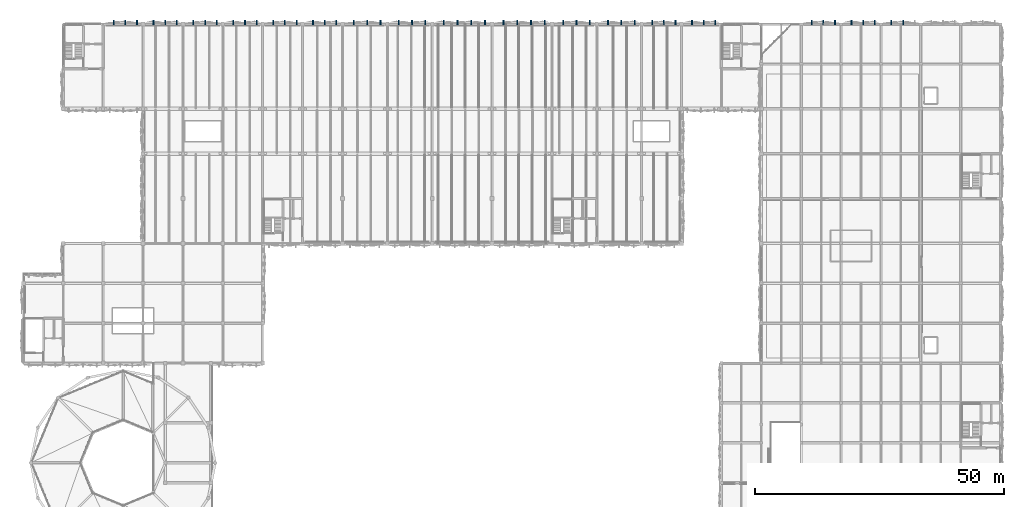
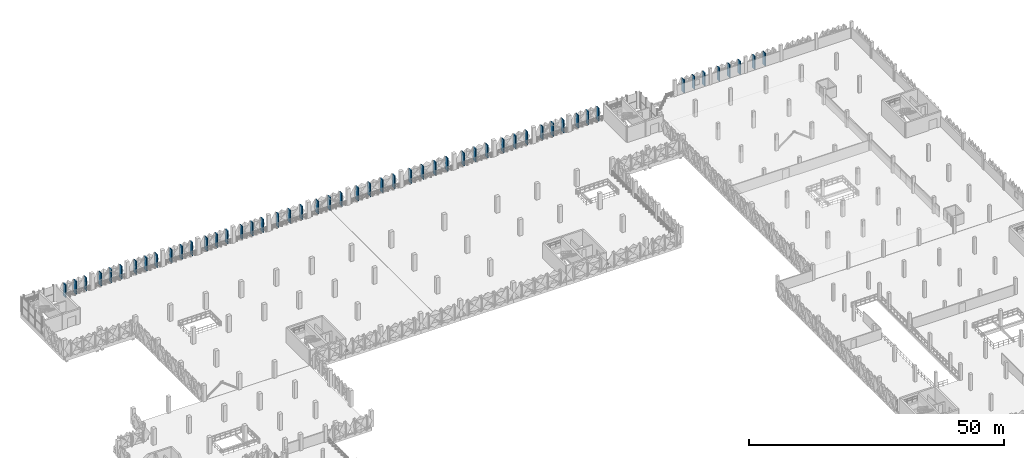
# One storey, part 49 of 83: 52 discrete accessories.
"""IFC4 building model written with IfcOpenShell, lengths in metres."""

from ifc_helpers import new_model, si_unit, derived_unit, direction, frame, origin, origin_2d, place, context, subcontext, project, spatial, rectangle, extrude, material, type_object, element, save


model = new_model("IFC4")

# Units and contexts
model_context = context("Model", 3, precision=1e-05, world=origin(), true_north=direction((0.0, 1.0)))
body_context = subcontext(model_context, "Body", "Model", "MODEL_VIEW")
ifc_project = project(units=[si_unit("LENGTHUNIT", "METRE"), si_unit("AREAUNIT", "SQUARE_METRE"), si_unit("VOLUMEUNIT", "CUBIC_METRE"), si_unit("PLANEANGLEUNIT", "RADIAN"), si_unit("MASSUNIT", "GRAM", prefix="KILO"), si_unit("THERMODYNAMICTEMPERATUREUNIT", "KELVIN"), derived_unit("THERMALTRANSMITTANCEUNIT", [(si_unit("POWERUNIT", "WATT"), 1), (si_unit("AREAUNIT", "SQUARE_METRE"), -1), (si_unit("THERMODYNAMICTEMPERATUREUNIT", "KELVIN"), -1)])], contexts=[model_context])

# Site, building, storey
site_placement = place(None, origin())
site = spatial("IfcSite", under=ifc_project, at=site_placement, CompositionType="ELEMENT")
building_placement = place(site_placement, origin())
building = spatial("IfcBuilding", under=site, at=building_placement, Name="Haiyu Intermodal Mobility Hub", CompositionType="ELEMENT")
storey_placement = place(building_placement, frame((0.0, 0.0, 13.39990234375)))
storey = spatial("IfcBuildingStorey", under=building, at=storey_placement, Name="L03", CompositionType="ELEMENT", Elevation=13.39990234375)

# Discrete accessories
ifc_material = material(Name="Steel Q355C", Category="steel")
discrete_accessory_type = type_object("IfcDiscreteAccessoryType", Name="ACC-BK02", PredefinedType="BRACKET", material=ifc_material)
for number, where, z_axis, x_axis, name in (
    (1, (36.787109375, 148.340087890625, 0.050048828125), (0.0, 0.0, 1.0), (1.0, 0.0, 0.0), "BRK-PYR-0017"),
    (2, (34.43994140625, 148.340087890625, 0.050048828125), (0.0, 0.0, 1.0), (1.0, 0.0, 0.0), "BRK-PYR-0020"),
    (3, (32.093017578125, 148.340087890625, 0.050048828125), (0.0, 0.0, 1.0), (1.0, 0.0, 0.0), "BRK-PYR-0021"),
    (4, (44.787109375, 148.340087890625, 0.050048828125), (0.0, 0.0, 1.0), (1.0, 0.0, 0.0), "BRK-PYR-0052"),
    (5, (42.43994140625, 148.340087890625, 0.050048828125), (0.0, 0.0, 1.0), (1.0, 0.0, 0.0), "BRK-PYR-0055"),
    (6, (40.093017578125, 148.340087890625, 0.050048828125), (0.0, 0.0, 1.0), (1.0, 0.0, 0.0), "BRK-PYR-0056"),
    (7, (52.787109375, 148.340087890625, 0.050048828125), (0.0, 0.0, 1.0), (1.0, 0.0, 0.0), "BRK-PYR-0087"),
    (8, (50.43994140625, 148.340087890625, 0.050048828125), (0.0, 0.0, 1.0), (1.0, 0.0, 0.0), "BRK-PYR-0090"),
    (9, (48.093017578125, 148.340087890625, 0.050048828125), (0.0, 0.0, 1.0), (1.0, 0.0, 0.0), "BRK-PYR-0091"),
    (10, (60.787109375, 148.340087890625, 0.050048828125), (0.0, 0.0, 1.0), (1.0, 0.0, 0.0), "BRK-PYR-0122"),
    (11, (58.43994140625, 148.340087890625, 0.050048828125), (0.0, 0.0, 1.0), (1.0, 0.0, 0.0), "BRK-PYR-0125"),
    (12, (56.093017578125, 148.340087890625, 0.050048828125), (0.0, 0.0, 1.0), (1.0, 0.0, 0.0), "BRK-PYR-0126"),
    (13, (68.787109375, 148.340087890625, 0.050048828125), (0.0, 0.0, 1.0), (1.0, 0.0, 0.0), "BRK-PYR-0157"),
    (14, (66.43994140625, 148.340087890625, 0.050048828125), (0.0, 0.0, 1.0), (1.0, 0.0, 0.0), "BRK-PYR-0160"),
    (15, (64.093017578125, 148.340087890625, 0.050048828125), (0.0, 0.0, 1.0), (1.0, 0.0, 0.0), "BRK-PYR-0161"),
    (16, (76.787109375, 148.340087890625, 0.050048828125), (0.0, 0.0, 1.0), (1.0, 0.0, 0.0), "BRK-PYR-0192"),
    (17, (74.43994140625, 148.340087890625, 0.050048828125), (0.0, 0.0, 1.0), (1.0, 0.0, 0.0), "BRK-PYR-0195"),
    (18, (72.093017578125, 148.340087890625, 0.050048828125), (0.0, 0.0, 1.0), (1.0, 0.0, 0.0), "BRK-PYR-0196"),
    (19, (85.6201171875, 148.340087890625, 0.050048828125), (0.0, 0.0, 1.0), (1.0, 0.0, 0.0), "BRK-PYR-0227"),
    (20, (82.93994140625, 148.340087890625, 0.050048828125), (0.0, 0.0, 1.0), (1.0, 0.0, 0.0), "BRK-PYR-0230"),
    (21, (80.260009765625, 148.340087890625, 0.050048828125), (0.0, 0.0, 1.0), (1.0, 0.0, 0.0), "BRK-PYR-0231"),
    (22, (94.6201171875, 148.340087890625, 0.050048828125), (0.0, 0.0, 1.0), (1.0, 0.0, 0.0), "BRK-PYR-0262"),
    (23, (91.93994140625, 148.340087890625, 0.050048828125), (0.0, 0.0, 1.0), (1.0, 0.0, 0.0), "BRK-PYR-0265"),
    (24, (89.260009765625, 148.340087890625, 0.050048828125), (0.0, 0.0, 1.0), (1.0, 0.0, 0.0), "BRK-PYR-0266"),
    (25, (106.580078125, 148.340087890625, 0.050048828125), (0.0, 0.0, 1.0), (1.0, 0.0, 0.0), "BRK-PYR-0303"),
    (26, (103.820068359375, 148.340087890625, 0.050048828125), (0.0, 0.0, 1.0), (1.0, 0.0, 0.0), "BRK-PYR-0306"),
    (27, (101.06005859375, 148.340087890625, 0.050048828125), (0.0, 0.0, 1.0), (1.0, 0.0, 0.0), "BRK-PYR-0309"),
    (28, (98.300048828125, 148.340087890625, 0.050048828125), (0.0, 0.0, 1.0), (1.0, 0.0, 0.0), "BRK-PYR-0310"),
    (29, (118.580078125, 148.340087890625, 0.050048828125), (0.0, 0.0, 1.0), (1.0, 0.0, 0.0), "BRK-PYR-0353"),
    (30, (115.820068359375, 148.340087890625, 0.050048828125), (0.0, 0.0, 1.0), (1.0, 0.0, 0.0), "BRK-PYR-0356"),
    (31, (113.06005859375, 148.340087890625, 0.050048828125), (0.0, 0.0, 1.0), (1.0, 0.0, 0.0), "BRK-PYR-0359"),
    (32, (110.300048828125, 148.340087890625, 0.050048828125), (0.0, 0.0, 1.0), (1.0, 0.0, 0.0), "BRK-PYR-0360"),
    (33, (127.6201171875, 148.340087890625, 0.050048828125), (0.0, 0.0, 1.0), (1.0, 0.0, 0.0), "BRK-PYR-0397"),
    (34, (124.93994140625, 148.340087890625, 0.050048828125), (0.0, 0.0, 1.0), (1.0, 0.0, 0.0), "BRK-PYR-0400"),
    (35, (122.260009765625, 148.340087890625, 0.050048828125), (0.0, 0.0, 1.0), (1.0, 0.0, 0.0), "BRK-PYR-0401"),
    (36, (136.6201171875, 148.340087890625, 0.050048828125), (0.0, 0.0, 1.0), (1.0, 0.0, 0.0), "BRK-PYR-0432"),
    (37, (133.93994140625, 148.340087890625, 0.050048828125), (0.0, 0.0, 1.0), (1.0, 0.0, 0.0), "BRK-PYR-0435"),
    (38, (131.260009765625, 148.340087890625, 0.050048828125), (0.0, 0.0, 1.0), (1.0, 0.0, 0.0), "BRK-PYR-0436"),
    (39, (144.787109375, 148.340087890625, 0.050048828125), (0.0, 0.0, 1.0), (1.0, 0.0, 0.0), "BRK-PYR-0467"),
    (40, (142.43994140625, 148.340087890625, 0.050048828125), (0.0, 0.0, 1.0), (1.0, 0.0, 0.0), "BRK-PYR-0470"),
    (41, (140.093017578125, 148.340087890625, 0.050048828125), (0.0, 0.0, 1.0), (1.0, 0.0, 0.0), "BRK-PYR-0471"),
    (42, (152.787109375, 148.340087890625, 0.050048828125), (0.0, 0.0, 1.0), (1.0, 0.0, 0.0), "BRK-PYR-0502"),
    (43, (150.43994140625, 148.340087890625, 0.050048828125), (0.0, 0.0, 1.0), (1.0, 0.0, 0.0), "BRK-PYR-0505"),
    (44, (148.093017578125, 148.340087890625, 0.050048828125), (0.0, 0.0, 1.0), (1.0, 0.0, 0.0), "BRK-PYR-0506"),
    (45, (176.787109375, 148.340087890625, 0.050048828125), (0.0, 0.0, 1.0), (1.0, 0.0, 0.0), "BRK-PYR-1241"),
    (46, (174.43994140625, 148.340087890625, 0.050048828125), (0.0, 0.0, 1.0), (1.0, 0.0, 0.0), "BRK-PYR-1244"),
    (47, (172.093017578125, 148.340087890625, 0.050048828125), (0.0, 0.0, 1.0), (1.0, 0.0, 0.0), "BRK-PYR-1245"),
    (48, (184.787109375, 148.340087890625, 0.050048828125), (0.0, 0.0, 1.0), (1.0, 0.0, 0.0), "BRK-PYR-1248"),
    (49, (182.43994140625, 148.340087890625, 0.050048828125), (0.0, 0.0, 1.0), (1.0, 0.0, 0.0), "BRK-PYR-1251"),
    (50, (180.093017578125, 148.340087890625, 0.050048828125), (0.0, 0.0, 1.0), (1.0, 0.0, 0.0), "BRK-PYR-1252"),
    (51, (190.43994140625, 148.340087890625, 0.050048828125), (0.0, 0.0, 1.0), (1.0, 0.0, 0.0), "BRK-PYR-1258"),
    (52, (188.093017578125, 148.340087890625, 0.050048828125), (0.0, 0.0, 1.0), (1.0, 0.0, 0.0), "BRK-PYR-1259"),
):
    element("IfcDiscreteAccessory", number, at=place(storey_placement, frame(where, z_axis=z_axis, x_axis=x_axis)), inside=storey, type_object=discrete_accessory_type, Name=name, PredefinedType="BRACKET", context=body_context, shape_type="SweptSolid", body=[
        extrude(rectangle(XDim=0.219970703125, YDim=0.949951171875, at=origin_2d()), origin(), (0.0, 0.0, 1.0), 3.10009765625),
    ])

save(model, "model.ifc")
